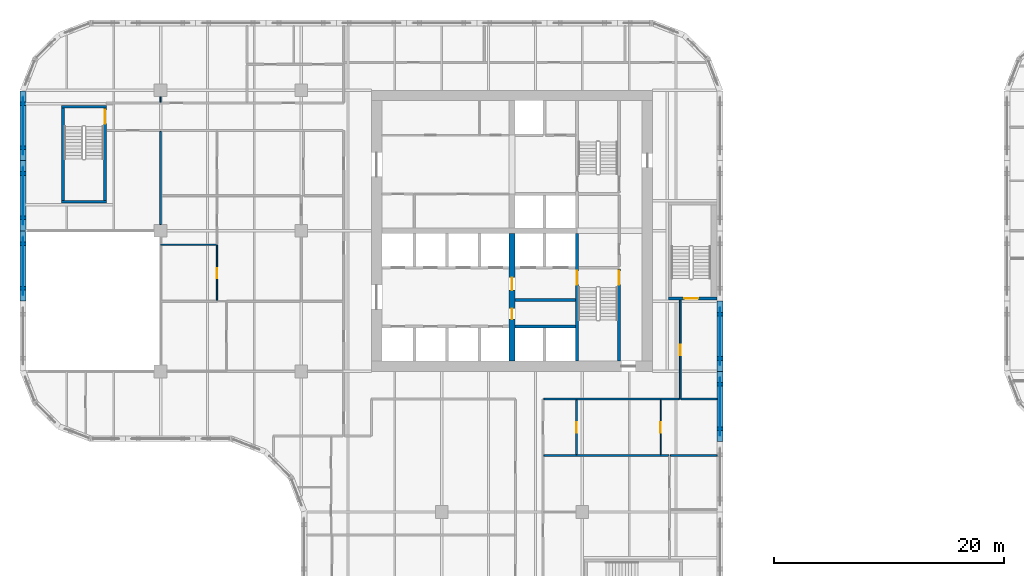
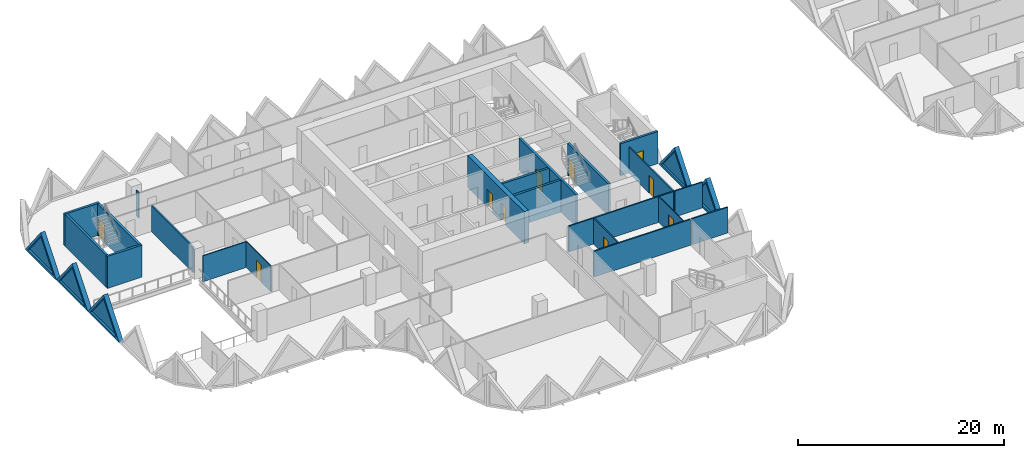
# One storey, part 7 of 19: 26 walls, 10 doors, 5 plates, 15 openings.
"""IFC4 building model written with IfcOpenShell, lengths in metres."""

from ifc_helpers import new_model, si_unit, direction, frame, frame_2d, origin, place, context, subcontext, project, spatial, polyline, rectangle, outline, extrude, faceted_brep, source, transform, mapped, material, layer, layer_set, type_object, element, fill, save


model = new_model("IFC4")

# Units and contexts
model_context = context("Model", 3, precision=1e-05, world=origin(), true_north=direction((0.0, 1.0)))
body_context = subcontext(model_context, "Body", "Model", "MODEL_VIEW")
ifc_project = project(units=[si_unit("LENGTHUNIT", "METRE"), si_unit("AREAUNIT", "SQUARE_METRE"), si_unit("VOLUMEUNIT", "CUBIC_METRE"), si_unit("PLANEANGLEUNIT", "RADIAN"), si_unit("MASSUNIT", "GRAM", prefix="KILO")], contexts=[model_context])

# Site, building, storey
site_placement = place(None, origin())
site = spatial("IfcSite", under=ifc_project, at=site_placement, CompositionType="ELEMENT")
building_placement = place(site_placement, origin())
building = spatial("IfcBuilding", under=site, at=building_placement, Name="Tessera Gate Towers", CompositionType="ELEMENT")
storey_placement = place(building_placement, frame((0.0, 0.0, 25.800048828125)))
storey = spatial("IfcBuildingStorey", under=building, at=storey_placement, Name="L05", CompositionType="ELEMENT", Elevation=25.800048828125)

# Wall, opening, door
ifc_material_1 = material(Name="Concrete C40/50", Category="concrete")
ifc_layer_1 = layer(ifc_material_1, 0.25)
ifc_layer_set_1 = layer_set([ifc_layer_1], Name="CORE ENCLOSURE WALL 250")
wall_type_1 = type_object("IfcWallType", Name="CORE ENCLOSURE WALL 250", PredefinedType="SOLIDWALL", material=ifc_layer_set_1)
wall_1_placement = place(storey_placement, frame((48.35009765625, 36.35009765625, 0.0), z_axis=(0.0, 0.0, 1.0), x_axis=(0.0, -1.0, 0.0)))
wall_1 = element("IfcWall", 1, at=wall_1_placement, inside=storey, type_object=wall_type_1, Name="L05 shaft and stair enclosure wall", PredefinedType="SOLIDWALL", context=body_context, shape_type="SweptSolid", body=[
    extrude(rectangle(XDim=11.050048828125, YDim=0.25, at=frame_2d((5.52490234375, 0.0))), origin(), (0.0, 0.0, 1.0), 3.800048828125),
])
shared_shape_1 = source(origin(), body_context, "Body", "SweptSolid", [
    extrude(rectangle(XDim=1.199951171875, YDim=2.10009765625, at=frame_2d((0.60009765625, 1.050048828125))), frame((0.0, 0.135009765625, 0.0), z_axis=(0.0, -1.0, 0.0), x_axis=(1.0, 0.0, 0.0)), (0.0, 0.0, 1.0), 0.27001953125),
])
opening_1_placement = place(wall_1_placement, frame((3.22509765625, 0.0, 0.0)))
opening_1 = element("IfcOpeningElement", 2, at=opening_1_placement, cuts=wall_1, Name="Opening SD-ST1-1", PredefinedType="OPENING", context=body_context, shape_type="MappedRepresentation", body=[
    mapped(shared_shape_1, transform((0.0, 0.0, 0.0), scale=1.0)),
])
ifc_material_2 = material(Name="Hollow steel fire door", Category="steel")
door_type_1 = type_object("IfcDoorType", Name="CORE DOOR SD 1200x2100", OperationType="NOTDEFINED", PredefinedType="DOOR", material=ifc_material_2)
shared_shape_2 = source(origin(), body_context, "Body", "SweptSolid", [
    extrude(rectangle(XDim=1.199951171875, YDim=2.10009765625, at=frame_2d((0.60009765625, 1.050048828125))), frame((0.0, 0.02490234375, 0.0), z_axis=(0.0, -1.0, 0.0), x_axis=(1.0, 0.0, 0.0)), (0.0, 0.0, 1.0), 0.050048828125),
])
door_1_placement = place(opening_1_placement, origin())
door_1 = element("IfcDoor", 3, at=door_1_placement, inside=storey, type_object=door_type_1, Name="Stair door", OperationType="SINGLE_SWING_LEFT", OverallHeight=2.10009765625, OverallWidth=1.199951171875, PredefinedType="DOOR", context=body_context, shape_type="MappedRepresentation", body=[
    mapped(shared_shape_2, transform((0.0, 0.0, 0.0), scale=1.0)),
])
fill(opening_1, door_1)

# Wall
wall_2_placement = place(storey_placement, frame((42.949951171875, 28.300048828125, 0.0), z_axis=(0.0, 0.0, 1.0), x_axis=(1.0, 0.0, 0.0)))
element("IfcWall", 4, at=wall_2_placement, inside=storey, type_object=wall_type_1, Name="L05 shaft and stair enclosure wall", PredefinedType="SOLIDWALL", context=body_context, shape_type="SweptSolid", body=[
    extrude(rectangle(XDim=5.275146484375, YDim=0.25, at=frame_2d((2.6376953125, 0.0))), origin(), (0.0, 0.0, 1.0), 3.800048828125),
])

# Wall, opening, door
wall_3_placement = place(storey_placement, frame((52.0, 25.300048828125, 0.0), z_axis=(0.0, 0.0, 1.0), x_axis=(0.0, 1.0, 0.0)))
wall_3 = element("IfcWall", 5, at=wall_3_placement, inside=storey, type_object=wall_type_1, Name="L05 shaft and stair enclosure wall", PredefinedType="SOLIDWALL", context=body_context, shape_type="SweptSolid", body=[
    extrude(rectangle(XDim=7.974853515625, YDim=0.25, at=frame_2d((3.9873046875, 0.0))), origin(), (0.0, 0.0, 1.0), 3.800048828125),
])
opening_2_placement = place(wall_3_placement, frame((6.625, 0.0, 0.0)))
opening_2 = element("IfcOpeningElement", 6, at=opening_2_placement, cuts=wall_3, Name="Opening SD-ST1-2", PredefinedType="OPENING", context=body_context, shape_type="MappedRepresentation", body=[
    mapped(shared_shape_1, transform((0.0, 0.0, 0.0), scale=1.0)),
])
door_2_placement = place(opening_2_placement, origin())
door_2 = element("IfcDoor", 7, at=door_2_placement, inside=storey, type_object=door_type_1, Name="Stair door", OperationType="SINGLE_SWING_RIGHT", OverallHeight=2.10009765625, OverallWidth=1.199951171875, PredefinedType="DOOR", context=body_context, shape_type="MappedRepresentation", body=[
    mapped(shared_shape_2, transform((0.0, 0.0, 0.0), scale=1.0)),
])
fill(opening_2, door_2)

# Walls
wall_4_placement = place(storey_placement, frame((42.949951171875, 30.60009765625, 0.0), z_axis=(0.0, 0.0, 1.0), x_axis=(1.0, 0.0, 0.0)))
element("IfcWall", 8, at=wall_4_placement, inside=storey, type_object=wall_type_1, Name="L05 shaft and stair enclosure wall", PredefinedType="SOLIDWALL", context=body_context, shape_type="SweptSolid", body=[
    extrude(rectangle(XDim=5.275146484375, YDim=0.25, at=frame_2d((2.6376953125, 0.0))), origin(), (0.0, 0.0, 1.0), 3.800048828125),
])
wall_5_placement = place(storey_placement, frame((7.5, 39.125, 0.0), z_axis=(0.0, 0.0, 1.0), x_axis=(-1.0, 0.0, 0.0)))
element("IfcWall", 9, at=wall_5_placement, inside=storey, type_object=wall_type_1, Name="L05 ST3 enclosure wall", PredefinedType="SOLIDWALL", context=body_context, shape_type="SweptSolid", body=[
    extrude(rectangle(XDim=3.89990234375, YDim=0.25, at=frame_2d((1.949951171875, 0.0))), origin(), (0.0, 0.0, 1.0), 3.800048828125),
])
wall_6_placement = place(storey_placement, frame((3.72509765625, 39.25, 0.0), z_axis=(0.0, 0.0, 1.0), x_axis=(0.0, 1.0, 0.0)))
element("IfcWall", 10, at=wall_6_placement, inside=storey, type_object=wall_type_1, Name="L05 ST3 enclosure wall", PredefinedType="SOLIDWALL", context=body_context, shape_type="SweptSolid", body=[
    extrude(rectangle(XDim=8.0, YDim=0.25, at=frame_2d((4.0, 0.0))), origin(), (0.0, 0.0, 1.0), 3.800048828125),
])
wall_7_placement = place(storey_placement, frame((3.60009765625, 47.375, 0.0), z_axis=(0.0, 0.0, 1.0), x_axis=(1.0, 0.0, 0.0)))
element("IfcWall", 11, at=wall_7_placement, inside=storey, type_object=wall_type_1, Name="L05 ST3 enclosure wall", PredefinedType="SOLIDWALL", context=body_context, shape_type="SweptSolid", body=[
    extrude(rectangle(XDim=3.89990234375, YDim=0.25, at=frame_2d((1.949951171875, 0.0))), origin(), (0.0, 0.0, 1.0), 3.800048828125),
])

# Wall, opening, door
wall_8_placement = place(storey_placement, frame((7.375, 47.25, 0.0), z_axis=(0.0, 0.0, 1.0), x_axis=(0.0, -1.0, 0.0)))
wall_8 = element("IfcWall", 12, at=wall_8_placement, inside=storey, type_object=wall_type_1, Name="L05 ST3 enclosure wall", PredefinedType="SOLIDWALL", context=body_context, shape_type="SweptSolid", body=[
    extrude(rectangle(XDim=8.0, YDim=0.25, at=frame_2d((4.0, 0.0))), origin(), (0.0, 0.0, 1.0), 3.800048828125),
])
opening_3_placement = place(wall_8_placement, frame((0.14990234375, 0.0, 0.0)))
opening_3 = element("IfcOpeningElement", 13, at=opening_3_placement, cuts=wall_8, Name="Opening SD-ST3-1", PredefinedType="OPENING", context=body_context, shape_type="MappedRepresentation", body=[
    mapped(shared_shape_1, transform((0.0, 0.0, 0.0), scale=1.0)),
])
door_3_placement = place(opening_3_placement, origin())
door_3 = element("IfcDoor", 14, at=door_3_placement, inside=storey, type_object=door_type_1, Name="Stair door", OperationType="SINGLE_SWING_LEFT", OverallHeight=2.10009765625, OverallWidth=1.199951171875, PredefinedType="DOOR", context=body_context, shape_type="MappedRepresentation", body=[
    mapped(shared_shape_2, transform((0.0, 0.0, 0.0), scale=1.0)),
])
fill(opening_3, door_3)

wall_9_placement = place(storey_placement, frame((60.5, 30.72509765625, 0.0), z_axis=(0.0, 0.0, 1.0), x_axis=(-1.0, 0.0, 0.0)))
wall_9 = element("IfcWall", 15, at=wall_9_placement, inside=storey, type_object=wall_type_1, Name="L05 ST5 enclosure wall", PredefinedType="SOLIDWALL", context=body_context, shape_type="SweptSolid", body=[
    extrude(rectangle(XDim=4.199951171875, YDim=0.25, at=frame_2d((2.10009765625, 0.0))), origin(), (0.0, 0.0, 1.0), 3.800048828125),
])
opening_4_placement = place(wall_9_placement, frame((1.64990234375, 0.0, 0.0)))
opening_4 = element("IfcOpeningElement", 16, at=opening_4_placement, cuts=wall_9, Name="Opening SD-ST5-1", PredefinedType="OPENING", context=body_context, shape_type="MappedRepresentation", body=[
    mapped(shared_shape_1, transform((0.0, 0.0, 0.0), scale=1.0)),
])
door_4_placement = place(opening_4_placement, origin())
door_4 = element("IfcDoor", 17, at=door_4_placement, inside=storey, type_object=door_type_1, Name="Stair door", OperationType="SINGLE_SWING_RIGHT", OverallHeight=2.10009765625, OverallWidth=1.199951171875, PredefinedType="DOOR", context=body_context, shape_type="MappedRepresentation", body=[
    mapped(shared_shape_2, transform((0.0, 0.0, 0.0), scale=1.0)),
])
fill(opening_4, door_4)

# Wall, openings, doors
ifc_material_3 = material(Name="Concrete C70/85", Category="concrete")
ifc_layer_2 = layer(ifc_material_3, 0.5)
ifc_layer_set_2 = layer_set([ifc_layer_2], Name="CORE SPINE WALL 500 C70/85")
wall_type_2 = type_object("IfcWallType", Name="CORE SPINE WALL 500 C70/85", PredefinedType="SHEAR", material=ifc_layer_set_2)
wall_10_placement = place(storey_placement, frame((42.699951171875, 36.35009765625, 0.0), z_axis=(0.0, 0.0, 1.0), x_axis=(0.0, -1.0, 0.0)))
wall_10 = element("IfcWall", 18, at=wall_10_placement, inside=storey, type_object=wall_type_2, Name="Core wall spine L05", PredefinedType="SHEAR", context=body_context, shape_type="SweptSolid", body=[
    extrude(rectangle(XDim=11.050048828125, YDim=0.5, at=frame_2d((5.52490234375, 0.0))), origin(), (0.0, 0.0, 1.0), 3.800048828125),
])
shared_shape_3 = source(origin(), body_context, "Body", "SweptSolid", [
    extrude(rectangle(XDim=0.89990234375, YDim=2.10009765625, at=frame_2d((0.449951171875, 1.050048828125))), frame((0.0, 0.260009765625, 0.0), z_axis=(0.0, -1.0, 0.0), x_axis=(1.0, 0.0, 0.0)), (0.0, 0.0, 1.0), 0.52001953125),
])
opening_5_placement = place(wall_10_placement, frame((6.5, 0.0, 0.0)))
opening_5 = element("IfcOpeningElement", 19, at=opening_5_placement, cuts=wall_10, Name="Opening RD-T1-06-05", PredefinedType="OPENING", context=body_context, shape_type="MappedRepresentation", body=[
    mapped(shared_shape_3, transform((0.0, 0.0, 0.0), scale=1.0)),
])
shared_shape_4 = source(origin(), body_context, "Body", "SweptSolid", [
    extrude(rectangle(XDim=1.10009765625, YDim=2.10009765625, at=frame_2d((0.550048828125, 1.050048828125))), frame((0.0, 0.260009765625, 0.0), z_axis=(0.0, -1.0, 0.0), x_axis=(1.0, 0.0, 0.0)), (0.0, 0.0, 1.0), 0.52001953125),
])
opening_6_placement = place(wall_10_placement, frame((3.800048828125, 0.0, 0.0)))
opening_6 = element("IfcOpeningElement", 20, at=opening_6_placement, cuts=wall_10, Name="Opening FD-T1-06-06", PredefinedType="OPENING", context=body_context, shape_type="MappedRepresentation", body=[
    mapped(shared_shape_4, transform((0.0, 0.0, 0.0), scale=1.0)),
])
ifc_material_4 = material(Name="Hollow steel fire door", Category="steel")
door_type_2 = type_object("IfcDoorType", Name="CORE DOOR RD 900x2100", OperationType="NOTDEFINED", PredefinedType="DOOR", material=ifc_material_4)
shared_shape_5 = source(origin(), body_context, "Body", "SweptSolid", [
    extrude(rectangle(XDim=0.89990234375, YDim=2.10009765625, at=frame_2d((0.449951171875, 1.050048828125))), frame((0.0, 0.02490234375, 0.0), z_axis=(0.0, -1.0, 0.0), x_axis=(1.0, 0.0, 0.0)), (0.0, 0.0, 1.0), 0.050048828125),
])
door_5_placement = place(opening_5_placement, origin())
door_5 = element("IfcDoor", 21, at=door_5_placement, inside=storey, type_object=door_type_2, Name="Core room door", OperationType="SINGLE_SWING_RIGHT", OverallHeight=2.10009765625, OverallWidth=0.89990234375, PredefinedType="DOOR", context=body_context, shape_type="MappedRepresentation", body=[
    mapped(shared_shape_5, transform((0.0, 0.0, 0.0), scale=1.0)),
])
fill(opening_5, door_5)
ifc_material_5 = material(Name="Hollow steel fire door", Category="steel")
door_type_3 = type_object("IfcDoorType", Name="CORE DOOR FD 1100x2100", OperationType="NOTDEFINED", PredefinedType="DOOR", material=ifc_material_5)
shared_shape_6 = source(origin(), body_context, "Body", "SweptSolid", [
    extrude(rectangle(XDim=1.10009765625, YDim=2.10009765625, at=frame_2d((0.550048828125, 1.050048828125))), frame((0.0, 0.02490234375, 0.0), z_axis=(0.0, -1.0, 0.0), x_axis=(1.0, 0.0, 0.0)), (0.0, 0.0, 1.0), 0.050048828125),
])
door_6_placement = place(opening_6_placement, origin())
door_6 = element("IfcDoor", 22, at=door_6_placement, inside=storey, type_object=door_type_3, Name="Fire-fighting lobby door", OperationType="SINGLE_SWING_LEFT", OverallHeight=2.10009765625, OverallWidth=1.10009765625, PredefinedType="DOOR", context=body_context, shape_type="MappedRepresentation", body=[
    mapped(shared_shape_6, transform((0.0, 0.0, 0.0), scale=1.0)),
])
fill(opening_6, door_6)

# Wall
ifc_material_6 = material(Name="Gypsum board on steel studs, mineral wool", Category="steel")
ifc_layer_3 = layer(ifc_material_6, 0.14990234375)
ifc_layer_set_3 = layer_set([ifc_layer_3], Name="CORRIDOR WALL 150")
wall_type_3 = type_object("IfcWallType", Name="CORRIDOR WALL 150", PredefinedType="PARTITIONING", material=ifc_layer_set_3)
wall_11_placement = place(storey_placement, frame((45.47607421875, 22.0, 0.0), z_axis=(0.0, 0.0, 1.0), x_axis=(1.0, 0.0, 0.0)))
element("IfcWall", 23, at=wall_11_placement, inside=storey, type_object=wall_type_3, Name="T1-L05-PW-025", PredefinedType="PARTITIONING", context=body_context, shape_type="SweptSolid", body=[
    extrude(rectangle(XDim=11.748046875, YDim=0.14990234375, at=frame_2d((5.8740234375, 0.0))), origin(), (0.0, 0.0, 1.0), 3.06689453125),
])

# Wall, opening, door
wall_12_placement = place(storey_placement, frame((57.300048828125, 30.60009765625, 0.0), z_axis=(0.0, 0.0, 1.0), x_axis=(0.0, -1.0, 0.0)))
wall_12 = element("IfcWall", 24, at=wall_12_placement, inside=storey, type_object=wall_type_3, Name="T1-L05-PW-026", PredefinedType="PARTITIONING", context=body_context, shape_type="SweptSolid", body=[
    extrude(rectangle(XDim=8.60009765625, YDim=0.14990234375, at=frame_2d((4.300048828125, 0.0))), origin(), (0.0, 0.0, 1.0), 3.06689453125),
])
shared_shape_7 = source(origin(), body_context, "Body", "SweptSolid", [
    extrude(rectangle(XDim=0.89990234375, YDim=2.10009765625, at=frame_2d((0.449951171875, 1.050048828125))), frame((0.0, 0.0849609375, 0.0), z_axis=(0.0, -1.0, 0.0), x_axis=(1.0, 0.0, 0.0)), (0.0, 0.0, 1.0), 0.169921875),
])
opening_7_placement = place(wall_12_placement, frame((3.89990234375, 0.0, 0.0)))
opening_7 = element("IfcOpeningElement", 25, at=opening_7_placement, cuts=wall_12, Name="Opening D890FD60-A02-05", PredefinedType="OPENING", context=body_context, shape_type="MappedRepresentation", body=[
    mapped(shared_shape_7, transform((0.0, 0.0, 0.0), scale=1.0)),
])
ifc_material_7 = material(Name="Timber door leaf in steel frame", Category="steel")
door_type_4 = type_object("IfcDoorType", Name="CORRIDOR DOOR 900 FD60", OperationType="NOTDEFINED", PredefinedType="DOOR", material=ifc_material_7)
door_7_placement = place(opening_7_placement, origin())
door_7 = element("IfcDoor", 26, at=door_7_placement, inside=storey, type_object=door_type_4, Name="T1-L05-PD-025", OperationType="SINGLE_SWING_RIGHT", OverallHeight=2.10009765625, OverallWidth=0.89990234375, PredefinedType="DOOR", context=body_context, shape_type="MappedRepresentation", body=[
    mapped(shared_shape_5, transform((0.0, 0.0, 0.0), scale=1.0)),
])
fill(opening_7, door_7)

ifc_material_8 = material(Name="Gypsum board on steel studs", Category="steel")
ifc_layer_4 = layer(ifc_material_8, 0.10009765625)
ifc_layer_set_4 = layer_set([ifc_layer_4], Name="PARTITION 100")
wall_type_4 = type_object("IfcWallType", Name="PARTITION 100", PredefinedType="PARTITIONING", material=ifc_layer_set_4)
wall_13_placement = place(storey_placement, frame((55.60009765625, 21.924072265625, 0.0), z_axis=(0.0, 0.0, 1.0), x_axis=(0.0, -1.0, 0.0)))
wall_13 = element("IfcWall", 27, at=wall_13_placement, inside=storey, type_object=wall_type_4, Name="T1-L05-PW-018", PredefinedType="PARTITIONING", context=body_context, shape_type="SweptSolid", body=[
    extrude(rectangle(XDim=4.748046875, YDim=0.10009765625, at=frame_2d((2.3740234375, 0.0))), origin(), (0.0, 0.0, 1.0), 3.06689453125),
])
shared_shape_8 = source(origin(), body_context, "Body", "SweptSolid", [
    extrude(rectangle(XDim=0.89990234375, YDim=2.10009765625, at=frame_2d((0.449951171875, 1.050048828125))), frame((0.0, 0.06005859375, 0.0), z_axis=(0.0, -1.0, 0.0), x_axis=(1.0, 0.0, 0.0)), (0.0, 0.0, 1.0), 0.1201171875),
])
opening_8_placement = place(wall_13_placement, frame((1.947998046875, 0.0, 0.0)))
opening_8 = element("IfcOpeningElement", 28, at=opening_8_placement, cuts=wall_13, Name="Opening D190-A02-09", PredefinedType="OPENING", context=body_context, shape_type="MappedRepresentation", body=[
    mapped(shared_shape_8, transform((0.0, 0.0, 0.0), scale=1.0)),
])
ifc_material_9 = material(Name="Timber door leaf in steel frame", Category="steel")
door_type_5 = type_object("IfcDoorType", Name="INTERNAL DOOR 900 NOT RATED", OperationType="NOTDEFINED", PredefinedType="DOOR", material=ifc_material_9)
door_8_placement = place(opening_8_placement, origin())
door_8 = element("IfcDoor", 29, at=door_8_placement, inside=storey, type_object=door_type_5, Name="T1-L05-PD-011", OperationType="SINGLE_SWING_RIGHT", OverallHeight=2.10009765625, OverallWidth=0.89990234375, PredefinedType="DOOR", context=body_context, shape_type="MappedRepresentation", body=[
    mapped(shared_shape_5, transform((0.0, 0.0, 0.0), scale=1.0)),
])
fill(opening_8, door_8)

wall_14_placement = place(storey_placement, frame((17.10009765625, 30.575927734375, 0.0), z_axis=(0.0, 0.0, 1.0), x_axis=(0.0, 1.0, 0.0)))
wall_14 = element("IfcWall", 30, at=wall_14_placement, inside=storey, type_object=wall_type_4, Name="T1-L05-PW-037", PredefinedType="PARTITIONING", context=body_context, shape_type="SweptSolid", body=[
    extrude(rectangle(XDim=4.768310546875, YDim=0.10009765625, at=frame_2d((2.38427734375, 0.0))), origin(), (0.0, 0.0, 1.0), 3.06689453125),
])
opening_9_placement = place(wall_14_placement, frame((1.89990234375, 0.0, 0.0)))
opening_9 = element("IfcOpeningElement", 31, at=opening_9_placement, cuts=wall_14, Name="Opening D190-A02-10", PredefinedType="OPENING", context=body_context, shape_type="MappedRepresentation", body=[
    mapped(shared_shape_8, transform((0.0, 0.0, 0.0), scale=1.0)),
])
door_9_placement = place(opening_9_placement, origin())
door_9 = element("IfcDoor", 32, at=door_9_placement, inside=storey, type_object=door_type_5, Name="T1-L05-PD-012", OperationType="SINGLE_SWING_LEFT", OverallHeight=2.10009765625, OverallWidth=0.89990234375, PredefinedType="DOOR", context=body_context, shape_type="MappedRepresentation", body=[
    mapped(shared_shape_5, transform((0.0, 0.0, 0.0), scale=1.0)),
])
fill(opening_9, door_9)

# Walls
wall_15_placement = place(storey_placement, frame((12.199951171875, 35.39501953125, 0.0), z_axis=(0.0, 0.0, 1.0), x_axis=(1.0, 0.0, 0.0)))
element("IfcWall", 33, at=wall_15_placement, inside=storey, type_object=wall_type_4, Name="T1-L05-PW-038", PredefinedType="PARTITIONING", context=body_context, shape_type="SweptSolid", body=[
    extrude(rectangle(XDim=4.900146484375, YDim=0.10009765625, at=frame_2d((2.4501953125, 0.0))), origin(), (0.0, 0.0, 1.0), 3.06689453125),
])
wall_16_placement = place(storey_placement, frame((12.199951171875, 48.25, 0.0), z_axis=(0.0, 0.0, 1.0), x_axis=(0.0, -1.0, 0.0)))
element("IfcWall", 34, at=wall_16_placement, inside=storey, type_object=wall_type_4, Name="T1-L05-PW-050", PredefinedType="PARTITIONING", context=body_context, shape_type="SweptSolid", body=[
    extrude(rectangle(XDim=0.47509765625, YDim=0.10009765625, at=frame_2d((0.237548828125, 0.0))), origin(), (0.0, 0.0, 1.0), 3.06689453125),
])
ifc_material_10 = material(Name="Gypsum board on steel studs, mineral wool", Category="steel")
ifc_layer_5 = layer(ifc_material_10, 0.14990234375)
ifc_layer_set_5 = layer_set([ifc_layer_5], Name="TENANCY WALL 150")
wall_type_5 = type_object("IfcWallType", Name="TENANCY WALL 150", PredefinedType="PARTITIONING", material=ifc_layer_set_5)
wall_17_placement = place(storey_placement, frame((45.47607421875, 17.10009765625, 0.0), z_axis=(0.0, 0.0, 1.0), x_axis=(1.0, 0.0, 0.0)))
element("IfcWall", 35, at=wall_17_placement, inside=storey, type_object=wall_type_5, Name="T1-L05-PW-015", PredefinedType="PARTITIONING", context=body_context, shape_type="SweptSolid", body=[
    extrude(rectangle(XDim=10.822998046875, YDim=0.14990234375, at=frame_2d((5.41162109375, 0.0))), origin(), (0.0, 0.0, 1.0), 3.06689453125),
])
wall_18_placement = place(storey_placement, frame((56.450927734375, 17.10009765625, 0.0), z_axis=(0.0, 0.0, 1.0), x_axis=(1.0, 0.0, 0.0)))
element("IfcWall", 36, at=wall_18_placement, inside=storey, type_object=wall_type_5, Name="T1-L05-PW-016", PredefinedType="PARTITIONING", context=body_context, shape_type="SweptSolid", body=[
    extrude(rectangle(XDim=4.049072265625, YDim=0.14990234375, at=frame_2d((2.0244140625, 0.0))), origin(), (0.0, 0.0, 1.0), 3.06689453125),
])

# Wall, opening, door
wall_19_placement = place(storey_placement, frame((48.300048828125, 21.924072265625, 0.0), z_axis=(0.0, 0.0, 1.0), x_axis=(0.0, -1.0, 0.0)))
wall_19 = element("IfcWall", 37, at=wall_19_placement, inside=storey, type_object=wall_type_5, Name="T1-L05-PW-017", PredefinedType="PARTITIONING", context=body_context, shape_type="SweptSolid", body=[
    extrude(rectangle(XDim=4.748046875, YDim=0.14990234375, at=frame_2d((2.3740234375, 0.0))), origin(), (0.0, 0.0, 1.0), 3.06689453125),
])
opening_10_placement = place(wall_19_placement, frame((1.947998046875, 0.0, 0.0)))
opening_10 = element("IfcOpeningElement", 38, at=opening_10_placement, cuts=wall_19, Name="Opening D190-A02-08", PredefinedType="OPENING", context=body_context, shape_type="MappedRepresentation", body=[
    mapped(shared_shape_7, transform((0.0, 0.0, 0.0), scale=1.0)),
])
door_10_placement = place(opening_10_placement, origin())
door_10 = element("IfcDoor", 39, at=door_10_placement, inside=storey, type_object=door_type_5, Name="T1-L05-PD-010", OperationType="SINGLE_SWING_RIGHT", OverallHeight=2.10009765625, OverallWidth=0.89990234375, PredefinedType="DOOR", context=body_context, shape_type="MappedRepresentation", body=[
    mapped(shared_shape_5, transform((0.0, 0.0, 0.0), scale=1.0)),
])
fill(opening_10, door_10)

# Walls
wall_20_placement = place(storey_placement, frame((57.3759765625, 22.0, 0.0), z_axis=(0.0, 0.0, 1.0), x_axis=(1.0, 0.0, 0.0)))
element("IfcWall", 40, at=wall_20_placement, inside=storey, type_object=wall_type_5, Name="T1-L05-PW-027", PredefinedType="PARTITIONING", context=body_context, shape_type="SweptSolid", body=[
    extrude(rectangle(XDim=3.1240234375, YDim=0.14990234375, at=frame_2d((1.56201171875, 0.0))), origin(), (0.0, 0.0, 1.0), 3.06689453125),
])
wall_21_placement = place(storey_placement, frame((12.199951171875, 37.15087890625, 0.0), z_axis=(0.0, 0.0, 1.0), x_axis=(0.0, 1.0, 0.0)))
element("IfcWall", 41, at=wall_21_placement, inside=storey, type_object=wall_type_5, Name="T1-L05-PW-040", PredefinedType="PARTITIONING", context=body_context, shape_type="SweptSolid", body=[
    extrude(rectangle(XDim=8.0732421875, YDim=0.14990234375, at=frame_2d((4.03662109375, 0.0))), origin(), (0.0, 0.0, 1.0), 3.06689453125),
])

# Wall, opening, plate
ifc_material_11 = material(Name="Precast concrete C60/75 white", Category="concrete")
ifc_layer_6 = layer(ifc_material_11, 0.5)
ifc_layer_set_6 = layer_set([ifc_layer_6], Name="TS2 half tessera")
wall_type_6 = type_object("IfcWallType", Name="TS2 half tessera", PredefinedType="SOLIDWALL", material=ifc_layer_set_6)
shared_shape_9 = source(origin(), body_context, "Body", "Brep", [
    faceted_brep([(6.099853515625, -0.25, 0.000244140625), (3.050048828125, -0.25, 3.800048828125), (0.0, -0.25, 0.0), (6.099853515625, -0.25, 0.0), (0.0, 0.25, 0.0), (3.050048828125, 0.25, 3.800048828125), (6.099853515625, 0.25, 0.000244140625), (6.099853515625, 0.25, 0.0)], [[[0, 1, 2, 3]], [[4, 5, 6, 7]], [[6, 5, 1, 0]], [[5, 4, 2, 1]], [[4, 7, 3, 2]], [[3, 7, 6, 0]]]),
])
wall_22_placement = place(storey_placement, frame((60.75, 18.300048828125, 0.0), z_axis=(0.0, 0.0, 1.0), x_axis=(0.0, 1.0, 0.0)))
wall_22 = element("IfcWall", 42, at=wall_22_placement, inside=storey, type_object=wall_type_6, Name="Precast half tessera T1 TS2-0051", PredefinedType="SOLIDWALL", context=body_context, shape_type="MappedRepresentation", body=[
    mapped(shared_shape_9, transform((0.0, 0.0, 0.0), scale=1.0)),
])
shared_shape_10 = source(origin(), body_context, "Body", "SweptSolid", [
    extrude(outline(polyline([(5.578857421875, 0.25), (3.050048828125, 3.400634765625), (0.521240234375, 0.25), (5.578857421875, 0.25)])), frame((0.0, 0.260009765625, 0.0), z_axis=(0.0, -1.0, 0.0), x_axis=(1.0, 0.0, 0.0)), (0.0, 0.0, 1.0), 0.52001953125),
])
opening_11_placement = place(wall_22_placement, origin())
opening_11 = element("IfcOpeningElement", 43, at=opening_11_placement, cuts=wall_22, Name="Opening T1-PL1-0105", PredefinedType="OPENING", context=body_context, shape_type="MappedRepresentation", body=[
    mapped(shared_shape_10, transform((0.0, 0.0, 0.0), scale=1.0)),
])
ifc_material_12 = material(Name="Low-e laminated glass", Category="glass")
ifc_layer_7 = layer(ifc_material_12, 0.06005859375)
ifc_layer_set_7 = layer_set([ifc_layer_7], Name="PL1 triangular pane")
plate_type = type_object("IfcPlateType", Name="PL1 triangular pane", PredefinedType="SHEET", material=ifc_layer_set_7)
shared_shape_11 = source(origin(), body_context, "Body", "SweptSolid", [
    extrude(outline(polyline([(5.578857421875, 0.25), (3.050048828125, 3.400634765625), (0.521240234375, 0.25), (5.578857421875, 0.25)])), frame((0.0, 0.030029296875, 0.0), z_axis=(0.0, -1.0, 0.0), x_axis=(1.0, 0.0, 0.0)), (0.0, 0.0, 1.0), 0.06005859375),
])
plate_1_placement = place(opening_11_placement, origin())
plate_1 = element("IfcPlate", 44, at=plate_1_placement, inside=storey, type_object=plate_type, Name="Glass pane T1 PL1-0105", PredefinedType="SHEET", context=body_context, shape_type="MappedRepresentation", body=[
    mapped(shared_shape_11, transform((0.0, 0.0, 0.0), scale=1.0)),
])
fill(opening_11, plate_1)

wall_23_placement = place(storey_placement, frame((0.25, 42.699951171875, 0.0), z_axis=(0.0, 0.0, 1.0), x_axis=(0.0, -1.0, 0.0)))
wall_23 = element("IfcWall", 45, at=wall_23_placement, inside=storey, type_object=wall_type_6, Name="Precast half tessera T1 TS2-0064", PredefinedType="SOLIDWALL", context=body_context, shape_type="MappedRepresentation", body=[
    mapped(shared_shape_9, transform((0.0, 0.0, 0.0), scale=1.0)),
])
opening_12_placement = place(wall_23_placement, origin())
opening_12 = element("IfcOpeningElement", 46, at=opening_12_placement, cuts=wall_23, Name="Opening T1-PL1-0126", PredefinedType="OPENING", context=body_context, shape_type="MappedRepresentation", body=[
    mapped(shared_shape_10, transform((0.0, 0.0, 0.0), scale=1.0)),
])
plate_2_placement = place(opening_12_placement, origin())
plate_2 = element("IfcPlate", 47, at=plate_2_placement, inside=storey, type_object=plate_type, Name="Glass pane T1 PL1-0126", PredefinedType="SHEET", context=body_context, shape_type="MappedRepresentation", body=[
    mapped(shared_shape_11, transform((0.0, 0.0, 0.0), scale=1.0)),
])
fill(opening_12, plate_2)

shared_shape_12 = source(origin(), body_context, "Body", "SweptSolid", [
    extrude(outline(polyline([(6.10009765625, 0.0), (3.050048828125, 3.800048828125), (0.0, 0.0), (6.10009765625, 0.0)])), frame((0.0, 0.25, 0.0), z_axis=(0.0, -1.0, 0.0), x_axis=(1.0, 0.0, 0.0)), (0.0, 0.0, 1.0), 0.5),
])
wall_24_placement = place(storey_placement, frame((60.75, 24.39990234375, 0.0), z_axis=(0.0, 0.0, 1.0), x_axis=(0.0, 1.0, 0.0)))
wall_24 = element("IfcWall", 48, at=wall_24_placement, inside=storey, type_object=wall_type_6, Name="Precast half tessera T1 TS2-0052", PredefinedType="SOLIDWALL", context=body_context, shape_type="MappedRepresentation", body=[
    mapped(shared_shape_12, transform((0.0, 0.0, 0.0), scale=1.0)),
])
opening_13_placement = place(wall_24_placement, origin())
opening_13 = element("IfcOpeningElement", 49, at=opening_13_placement, cuts=wall_24, Name="Opening T1-PL1-0106", PredefinedType="OPENING", context=body_context, shape_type="MappedRepresentation", body=[
    mapped(shared_shape_10, transform((0.0, 0.0, 0.0), scale=1.0)),
])
plate_3_placement = place(opening_13_placement, origin())
plate_3 = element("IfcPlate", 50, at=plate_3_placement, inside=storey, type_object=plate_type, Name="Glass pane T1 PL1-0106", PredefinedType="SHEET", context=body_context, shape_type="MappedRepresentation", body=[
    mapped(shared_shape_11, transform((0.0, 0.0, 0.0), scale=1.0)),
])
fill(opening_13, plate_3)

wall_25_placement = place(storey_placement, frame((0.25, 36.60009765625, 0.0), z_axis=(0.0, 0.0, 1.0), x_axis=(0.0, -1.0, 0.0)))
wall_25 = element("IfcWall", 51, at=wall_25_placement, inside=storey, type_object=wall_type_6, Name="Precast half tessera T1 TS2-0065", PredefinedType="SOLIDWALL", context=body_context, shape_type="MappedRepresentation", body=[
    mapped(shared_shape_12, transform((0.0, 0.0, 0.0), scale=1.0)),
])
opening_14_placement = place(wall_25_placement, origin())
opening_14 = element("IfcOpeningElement", 52, at=opening_14_placement, cuts=wall_25, Name="Opening T1-PL1-0127", PredefinedType="OPENING", context=body_context, shape_type="MappedRepresentation", body=[
    mapped(shared_shape_10, transform((0.0, 0.0, 0.0), scale=1.0)),
])
plate_4_placement = place(opening_14_placement, origin())
plate_4 = element("IfcPlate", 53, at=plate_4_placement, inside=storey, type_object=plate_type, Name="Glass pane T1 PL1-0127", PredefinedType="SHEET", context=body_context, shape_type="MappedRepresentation", body=[
    mapped(shared_shape_11, transform((0.0, 0.0, 0.0), scale=1.0)),
])
fill(opening_14, plate_4)

shared_shape_13 = source(origin(), body_context, "Body", "Brep", [
    faceted_brep([(6.053466796875, -0.25, 0.0), (3.00341796875, -0.25, 3.800048828125), (0.0, -0.25, 0.0), (0.046630859375, 0.25, 0.058837890625), (3.00341796875, 0.25, 3.800048828125), (6.053466796875, 0.25, 0.0), (0.046630859375, 0.25, 0.0), (0.0, 0.0, 0.0)], [[[0, 1, 2]], [[3, 4, 5, 6]], [[5, 4, 1, 0]], [[4, 3, 7, 2, 1]], [[6, 5, 0, 2, 7]], [[6, 7, 3]]]),
])
wall_26_placement = place(storey_placement, frame((0.25, 48.75341796875, 0.0), z_axis=(0.0, 0.0, 1.0), x_axis=(0.0, -1.0, 0.0)))
wall_26 = element("IfcWall", 54, at=wall_26_placement, inside=storey, type_object=wall_type_6, Name="Precast half tessera T1 TS2-0063", PredefinedType="SOLIDWALL", context=body_context, shape_type="MappedRepresentation", body=[
    mapped(shared_shape_13, transform((0.0, 0.0, 0.0), scale=1.0)),
])
shared_shape_14 = source(origin(), body_context, "Body", "SweptSolid", [
    extrude(outline(polyline([(5.5322265625, 0.25), (3.0048828125, 3.398681640625), (0.516357421875, 0.25), (5.5322265625, 0.25)])), frame((0.0, 0.260009765625, 0.0), z_axis=(0.0, -1.0, 0.0), x_axis=(1.0, 0.0, 0.0)), (0.0, 0.0, 1.0), 0.52001953125),
])
opening_15_placement = place(wall_26_placement, origin())
opening_15 = element("IfcOpeningElement", 55, at=opening_15_placement, cuts=wall_26, Name="Opening T1-PL1-0125", PredefinedType="OPENING", context=body_context, shape_type="MappedRepresentation", body=[
    mapped(shared_shape_14, transform((0.0, 0.0, 0.0), scale=1.0)),
])
shared_shape_15 = source(origin(), body_context, "Body", "SweptSolid", [
    extrude(outline(polyline([(5.5322265625, 0.25), (3.0048828125, 3.398681640625), (0.516357421875, 0.25), (5.5322265625, 0.25)])), frame((0.0, 0.030029296875, 0.0), z_axis=(0.0, -1.0, 0.0), x_axis=(1.0, 0.0, 0.0)), (0.0, 0.0, 1.0), 0.06005859375),
])
plate_5_placement = place(opening_15_placement, origin())
plate_5 = element("IfcPlate", 56, at=plate_5_placement, inside=storey, type_object=plate_type, Name="Glass pane T1 PL1-0125", PredefinedType="SHEET", context=body_context, shape_type="MappedRepresentation", body=[
    mapped(shared_shape_15, transform((0.0, 0.0, 0.0), scale=1.0)),
])
fill(opening_15, plate_5)

save(model, "model.ifc")
